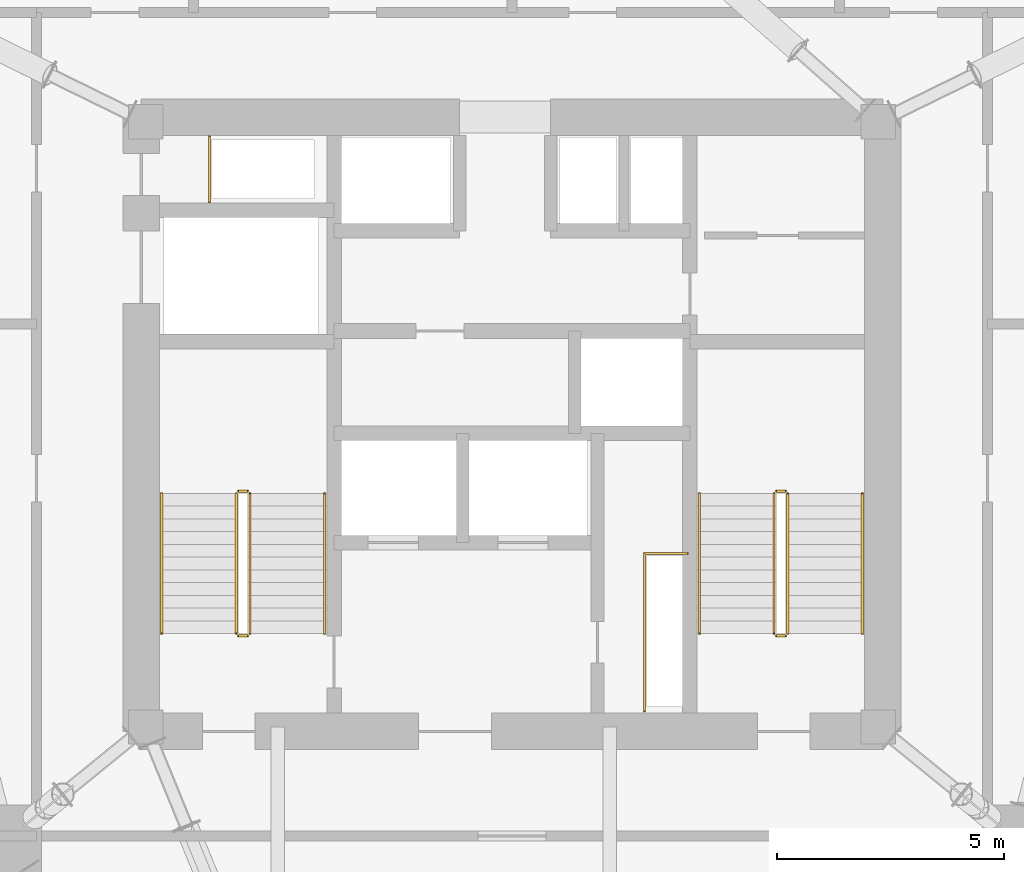
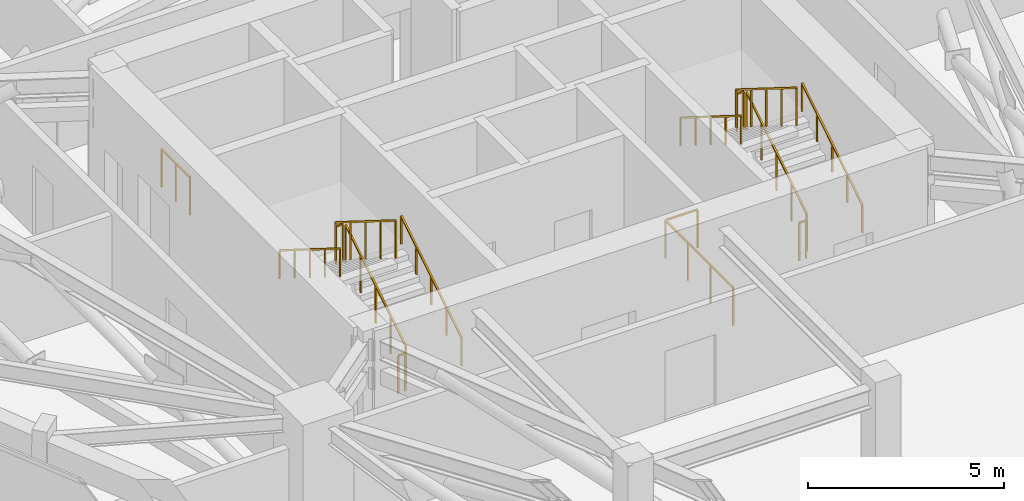
# One storey, part 13 of 13: 14 railings.
"""IFC4 building model written with IfcOpenShell, lengths in metres."""

from ifc_helpers import new_model, si_unit, direction, frame, origin, origin_2d, place, context, subcontext, project, spatial, rectangle, extrude, material, type_object, element, save


model = new_model("IFC4")

# Units and contexts
model_context = context("Model", 3, precision=1e-05, world=origin(), true_north=direction((0.0, 1.0)))
body_context = subcontext(model_context, "Body", "Model", "MODEL_VIEW")
ifc_project = project(units=[si_unit("LENGTHUNIT", "METRE"), si_unit("AREAUNIT", "SQUARE_METRE"), si_unit("VOLUMEUNIT", "CUBIC_METRE"), si_unit("PLANEANGLEUNIT", "RADIAN"), si_unit("MASSUNIT", "GRAM", prefix="KILO")], contexts=[model_context])

# Site, building, storey
site_placement = place(None, origin())
site = spatial("IfcSite", under=ifc_project, at=site_placement, CompositionType="ELEMENT")
building_placement = place(site_placement, origin())
building = spatial("IfcBuilding", under=site, at=building_placement, Name="Talyreon Biosciences Tower", CompositionType="ELEMENT")
storey_placement = place(building_placement, frame((0.0, 0.0, 171.0)))
storey = spatial("IfcBuildingStorey", under=building, at=storey_placement, Name="L45", CompositionType="ELEMENT", Elevation=171.0)

# Railings
ifc_material_1 = material(Name="Brushed stainless-steel tubular handrail", Category="steel")
railing_type_1 = type_object("IfcRailingType", Name="StairWallHandrail_900", PredefinedType="HANDRAIL", material=ifc_material_1)
railing_1_placement = place(storey_placement, frame((61.8798828125, 63.39990234375, 0.175048828125)))
element("IfcRailing", 1, at=railing_1_placement, inside=storey, type_object=railing_type_1, Name="L45 ST-1 stair handrail 1", PredefinedType="HANDRAIL", context=body_context, shape_type="SweptSolid", body=[
    extrude(rectangle(XDim=0.048095703125, YDim=0.048095703125, at=origin_2d()), frame((0.0, 0.0, 0.8759765625), z_axis=(0.0, 0.847998304005, 0.529998940003), x_axis=(-1.0, 0.0, 0.0)), (0.0, 0.0, 1.0), 3.632080078125),
    extrude(rectangle(XDim=0.0419921875, YDim=0.0419921875, at=origin_2d()), origin(), (0.0, 0.0, 1.0), 0.851806640625),
    extrude(rectangle(XDim=0.0419921875, YDim=0.0419921875, at=origin_2d()), frame((0.0, 0.77001953125, 0.481201171875)), (0.0, 0.0, 1.0), 0.851806640625),
    extrude(rectangle(XDim=0.0419921875, YDim=0.0419921875, at=origin_2d()), frame((0.0, 1.5400390625, 0.96240234375)), (0.0, 0.0, 1.0), 0.851806640625),
    extrude(rectangle(XDim=0.0419921875, YDim=0.0419921875, at=origin_2d()), frame((0.0, 2.31005859375, 1.44384765625)), (0.0, 0.0, 1.0), 0.851806640625),
    extrude(rectangle(XDim=0.0419921875, YDim=0.0419921875, at=origin_2d()), frame((0.0, 3.080078125, 1.925048828125)), (0.0, 0.0, 1.0), 0.851806640625),
])
railing_2_placement = place(storey_placement, frame((58.300048828125, 66.47998046875, 2.27490234375)))
element("IfcRailing", 2, at=railing_2_placement, inside=storey, type_object=railing_type_1, Name="L45 ST-1 stair handrail 2", PredefinedType="HANDRAIL", context=body_context, shape_type="SweptSolid", body=[
    extrude(rectangle(XDim=0.048095703125, YDim=0.048095703125, at=origin_2d()), frame((0.0, 0.0, 0.8759765625), z_axis=(0.0, -0.847998304005, 0.529998940003), x_axis=(1.0, 0.0, 0.0)), (0.0, 0.0, 1.0), 3.632080078125),
    extrude(rectangle(XDim=0.0419921875, YDim=0.0419921875, at=origin_2d()), origin(), (0.0, 0.0, 1.0), 0.851806640625),
    extrude(rectangle(XDim=0.0419921875, YDim=0.0419921875, at=origin_2d()), frame((0.0, -0.77001953125, 0.481201171875)), (0.0, 0.0, 1.0), 0.851806640625),
    extrude(rectangle(XDim=0.0419921875, YDim=0.0419921875, at=origin_2d()), frame((0.0, -1.5400390625, 0.96240234375)), (0.0, 0.0, 1.0), 0.851806640625),
    extrude(rectangle(XDim=0.0419921875, YDim=0.0419921875, at=origin_2d()), frame((0.0, -2.31005859375, 1.44384765625)), (0.0, 0.0, 1.0), 0.851806640625),
    extrude(rectangle(XDim=0.0419921875, YDim=0.0419921875, at=origin_2d()), frame((0.0, -3.080078125, 1.925048828125)), (0.0, 0.0, 1.0), 0.851806640625),
])
railing_3_placement = place(storey_placement, frame((73.699951171875, 63.39990234375, 0.175048828125)))
element("IfcRailing", 3, at=railing_3_placement, inside=storey, type_object=railing_type_1, Name="L45 ST-2 stair handrail 1", PredefinedType="HANDRAIL", context=body_context, shape_type="SweptSolid", body=[
    extrude(rectangle(XDim=0.048095703125, YDim=0.048095703125, at=origin_2d()), frame((0.0, 0.0, 0.8759765625), z_axis=(0.0, 0.847998304005, 0.529998940003), x_axis=(-1.0, 0.0, 0.0)), (0.0, 0.0, 1.0), 3.632080078125),
    extrude(rectangle(XDim=0.0419921875, YDim=0.0419921875, at=origin_2d()), origin(), (0.0, 0.0, 1.0), 0.851806640625),
    extrude(rectangle(XDim=0.0419921875, YDim=0.0419921875, at=origin_2d()), frame((0.0, 0.77001953125, 0.481201171875)), (0.0, 0.0, 1.0), 0.851806640625),
    extrude(rectangle(XDim=0.0419921875, YDim=0.0419921875, at=origin_2d()), frame((0.0, 1.5400390625, 0.96240234375)), (0.0, 0.0, 1.0), 0.851806640625),
    extrude(rectangle(XDim=0.0419921875, YDim=0.0419921875, at=origin_2d()), frame((0.0, 2.31005859375, 1.44384765625)), (0.0, 0.0, 1.0), 0.851806640625),
    extrude(rectangle(XDim=0.0419921875, YDim=0.0419921875, at=origin_2d()), frame((0.0, 3.080078125, 1.925048828125)), (0.0, 0.0, 1.0), 0.851806640625),
])
railing_4_placement = place(storey_placement, frame((70.1201171875, 66.47998046875, 2.27490234375)))
element("IfcRailing", 4, at=railing_4_placement, inside=storey, type_object=railing_type_1, Name="L45 ST-2 stair handrail 2", PredefinedType="HANDRAIL", context=body_context, shape_type="SweptSolid", body=[
    extrude(rectangle(XDim=0.048095703125, YDim=0.048095703125, at=origin_2d()), frame((0.0, 0.0, 0.8759765625), z_axis=(0.0, -0.847998304005, 0.529998940003), x_axis=(1.0, 0.0, 0.0)), (0.0, 0.0, 1.0), 3.632080078125),
    extrude(rectangle(XDim=0.0419921875, YDim=0.0419921875, at=origin_2d()), origin(), (0.0, 0.0, 1.0), 0.851806640625),
    extrude(rectangle(XDim=0.0419921875, YDim=0.0419921875, at=origin_2d()), frame((0.0, -0.77001953125, 0.481201171875)), (0.0, 0.0, 1.0), 0.851806640625),
    extrude(rectangle(XDim=0.0419921875, YDim=0.0419921875, at=origin_2d()), frame((0.0, -1.5400390625, 0.96240234375)), (0.0, 0.0, 1.0), 0.851806640625),
    extrude(rectangle(XDim=0.0419921875, YDim=0.0419921875, at=origin_2d()), frame((0.0, -2.31005859375, 1.44384765625)), (0.0, 0.0, 1.0), 0.851806640625),
    extrude(rectangle(XDim=0.0419921875, YDim=0.0419921875, at=origin_2d()), frame((0.0, -3.080078125, 1.925048828125)), (0.0, 0.0, 1.0), 0.851806640625),
])
ifc_material_2 = material(Name="Painted galvanised steel post-and-rail balustrade", Category="steel")
railing_type_2 = type_object("IfcRailingType", Name="TerraceStairGuard_1200", PredefinedType="GUARDRAIL", material=ifc_material_2)
railing_5_placement = place(storey_placement, frame((60.239990234375, 63.39990234375, 0.175048828125)))
element("IfcRailing", 5, at=railing_5_placement, inside=storey, type_object=railing_type_2, Name="L45 ST-1 stair guard 1", PredefinedType="GUARDRAIL", context=body_context, shape_type="SweptSolid", body=[
    extrude(rectangle(XDim=0.048095703125, YDim=0.048095703125, at=origin_2d()), frame((0.0, 0.0, 1.17578125), z_axis=(0.0, 0.847998304005, 0.529998940003), x_axis=(-1.0, 0.0, 0.0)), (0.0, 0.0, 1.0), 3.632080078125),
    extrude(rectangle(XDim=0.0419921875, YDim=0.0419921875, at=origin_2d()), origin(), (0.0, 0.0, 1.0), 1.15185546875),
    extrude(rectangle(XDim=0.0419921875, YDim=0.0419921875, at=origin_2d()), frame((0.0, 0.77001953125, 0.481201171875)), (0.0, 0.0, 1.0), 1.15185546875),
    extrude(rectangle(XDim=0.0419921875, YDim=0.0419921875, at=origin_2d()), frame((0.0, 1.5400390625, 0.96240234375)), (0.0, 0.0, 1.0), 1.15185546875),
    extrude(rectangle(XDim=0.0419921875, YDim=0.0419921875, at=origin_2d()), frame((0.0, 2.31005859375, 1.44384765625)), (0.0, 0.0, 1.0), 1.15185546875),
    extrude(rectangle(XDim=0.0419921875, YDim=0.0419921875, at=origin_2d()), frame((0.0, 3.080078125, 1.925048828125)), (0.0, 0.0, 1.0), 1.15185546875),
])
railing_6_placement = place(storey_placement, frame((60.18994140625, 66.530029296875, 2.10009765625)))
element("IfcRailing", 6, at=railing_6_placement, inside=storey, type_object=railing_type_2, Name="L45 ST-1 stair guard 2", PredefinedType="GUARDRAIL", context=body_context, shape_type="SweptSolid", body=[
    extrude(rectangle(XDim=0.048095703125, YDim=0.048095703125, at=origin_2d()), frame((0.0, 0.0, 1.17578125), z_axis=(-1.0, 0.0, 0.0), x_axis=(0.0, -1.0, 0.0)), (0.0, 0.0, 1.0), 0.199951171875),
    extrude(rectangle(XDim=0.0419921875, YDim=0.0419921875, at=origin_2d()), origin(), (0.0, 0.0, 1.0), 1.15185546875),
    extrude(rectangle(XDim=0.0419921875, YDim=0.0419921875, at=origin_2d()), frame((-0.199951171875, 0.0, 0.0)), (0.0, 0.0, 1.0), 1.15185546875),
])
railing_7_placement = place(storey_placement, frame((59.93994140625, 66.47998046875, 2.27490234375)))
element("IfcRailing", 7, at=railing_7_placement, inside=storey, type_object=railing_type_2, Name="L45 ST-1 stair guard 3", PredefinedType="GUARDRAIL", context=body_context, shape_type="SweptSolid", body=[
    extrude(rectangle(XDim=0.048095703125, YDim=0.048095703125, at=origin_2d()), frame((0.0, 0.0, 1.17578125), z_axis=(0.0, -0.847998304005, 0.529998940003), x_axis=(1.0, 0.0, 0.0)), (0.0, 0.0, 1.0), 3.632080078125),
    extrude(rectangle(XDim=0.0419921875, YDim=0.0419921875, at=origin_2d()), origin(), (0.0, 0.0, 1.0), 1.15185546875),
    extrude(rectangle(XDim=0.0419921875, YDim=0.0419921875, at=origin_2d()), frame((0.0, -0.77001953125, 0.481201171875)), (0.0, 0.0, 1.0), 1.15185546875),
    extrude(rectangle(XDim=0.0419921875, YDim=0.0419921875, at=origin_2d()), frame((0.0, -1.5400390625, 0.96240234375)), (0.0, 0.0, 1.0), 1.15185546875),
    extrude(rectangle(XDim=0.0419921875, YDim=0.0419921875, at=origin_2d()), frame((0.0, -2.31005859375, 1.44384765625)), (0.0, 0.0, 1.0), 1.15185546875),
    extrude(rectangle(XDim=0.0419921875, YDim=0.0419921875, at=origin_2d()), frame((0.0, -3.080078125, 1.925048828125)), (0.0, 0.0, 1.0), 1.15185546875),
])
railing_8_placement = place(storey_placement, frame((60.18994140625, 63.35009765625, 0.0)))
element("IfcRailing", 8, at=railing_8_placement, inside=storey, type_object=railing_type_2, Name="L45 ST-1 stair guard 4", PredefinedType="GUARDRAIL", context=body_context, shape_type="SweptSolid", body=[
    extrude(rectangle(XDim=0.048095703125, YDim=0.048095703125, at=origin_2d()), frame((0.0, 0.0, 1.17578125), z_axis=(-1.0, 0.0, 0.0), x_axis=(0.0, -1.0, 0.0)), (0.0, 0.0, 1.0), 0.199951171875),
    extrude(rectangle(XDim=0.0419921875, YDim=0.0419921875, at=origin_2d()), origin(), (0.0, 0.0, 1.0), 1.15185546875),
    extrude(rectangle(XDim=0.0419921875, YDim=0.0419921875, at=origin_2d()), frame((-0.199951171875, 0.0, 0.0)), (0.0, 0.0, 1.0), 1.15185546875),
])
railing_9_placement = place(storey_placement, frame((72.06005859375, 63.39990234375, 0.175048828125)))
element("IfcRailing", 9, at=railing_9_placement, inside=storey, type_object=railing_type_2, Name="L45 ST-2 stair guard 1", PredefinedType="GUARDRAIL", context=body_context, shape_type="SweptSolid", body=[
    extrude(rectangle(XDim=0.048095703125, YDim=0.048095703125, at=origin_2d()), frame((0.0, 0.0, 1.17578125), z_axis=(0.0, 0.847998304005, 0.529998940003), x_axis=(-1.0, 0.0, 0.0)), (0.0, 0.0, 1.0), 3.632080078125),
    extrude(rectangle(XDim=0.0419921875, YDim=0.0419921875, at=origin_2d()), origin(), (0.0, 0.0, 1.0), 1.15185546875),
    extrude(rectangle(XDim=0.0419921875, YDim=0.0419921875, at=origin_2d()), frame((0.0, 0.77001953125, 0.481201171875)), (0.0, 0.0, 1.0), 1.15185546875),
    extrude(rectangle(XDim=0.0419921875, YDim=0.0419921875, at=origin_2d()), frame((0.0, 1.5400390625, 0.96240234375)), (0.0, 0.0, 1.0), 1.15185546875),
    extrude(rectangle(XDim=0.0419921875, YDim=0.0419921875, at=origin_2d()), frame((0.0, 2.31005859375, 1.44384765625)), (0.0, 0.0, 1.0), 1.15185546875),
    extrude(rectangle(XDim=0.0419921875, YDim=0.0419921875, at=origin_2d()), frame((0.0, 3.080078125, 1.925048828125)), (0.0, 0.0, 1.0), 1.15185546875),
])
railing_10_placement = place(storey_placement, frame((72.010009765625, 66.530029296875, 2.10009765625)))
element("IfcRailing", 10, at=railing_10_placement, inside=storey, type_object=railing_type_2, Name="L45 ST-2 stair guard 2", PredefinedType="GUARDRAIL", context=body_context, shape_type="SweptSolid", body=[
    extrude(rectangle(XDim=0.048095703125, YDim=0.048095703125, at=origin_2d()), frame((0.0, 0.0, 1.17578125), z_axis=(-1.0, 0.0, 0.0), x_axis=(0.0, -1.0, 0.0)), (0.0, 0.0, 1.0), 0.199951171875),
    extrude(rectangle(XDim=0.0419921875, YDim=0.0419921875, at=origin_2d()), origin(), (0.0, 0.0, 1.0), 1.15185546875),
    extrude(rectangle(XDim=0.0419921875, YDim=0.0419921875, at=origin_2d()), frame((-0.199951171875, 0.0, 0.0)), (0.0, 0.0, 1.0), 1.15185546875),
])
railing_11_placement = place(storey_placement, frame((71.760009765625, 66.47998046875, 2.27490234375)))
element("IfcRailing", 11, at=railing_11_placement, inside=storey, type_object=railing_type_2, Name="L45 ST-2 stair guard 3", PredefinedType="GUARDRAIL", context=body_context, shape_type="SweptSolid", body=[
    extrude(rectangle(XDim=0.048095703125, YDim=0.048095703125, at=origin_2d()), frame((0.0, 0.0, 1.17578125), z_axis=(0.0, -0.847998304005, 0.529998940003), x_axis=(1.0, 0.0, 0.0)), (0.0, 0.0, 1.0), 3.632080078125),
    extrude(rectangle(XDim=0.0419921875, YDim=0.0419921875, at=origin_2d()), origin(), (0.0, 0.0, 1.0), 1.15185546875),
    extrude(rectangle(XDim=0.0419921875, YDim=0.0419921875, at=origin_2d()), frame((0.0, -0.77001953125, 0.481201171875)), (0.0, 0.0, 1.0), 1.15185546875),
    extrude(rectangle(XDim=0.0419921875, YDim=0.0419921875, at=origin_2d()), frame((0.0, -1.5400390625, 0.96240234375)), (0.0, 0.0, 1.0), 1.15185546875),
    extrude(rectangle(XDim=0.0419921875, YDim=0.0419921875, at=origin_2d()), frame((0.0, -2.31005859375, 1.44384765625)), (0.0, 0.0, 1.0), 1.15185546875),
    extrude(rectangle(XDim=0.0419921875, YDim=0.0419921875, at=origin_2d()), frame((0.0, -3.080078125, 1.925048828125)), (0.0, 0.0, 1.0), 1.15185546875),
])
railing_12_placement = place(storey_placement, frame((72.010009765625, 63.35009765625, 0.0)))
element("IfcRailing", 12, at=railing_12_placement, inside=storey, type_object=railing_type_2, Name="L45 ST-2 stair guard 4", PredefinedType="GUARDRAIL", context=body_context, shape_type="SweptSolid", body=[
    extrude(rectangle(XDim=0.048095703125, YDim=0.048095703125, at=origin_2d()), frame((0.0, 0.0, 1.17578125), z_axis=(-1.0, 0.0, 0.0), x_axis=(0.0, -1.0, 0.0)), (0.0, 0.0, 1.0), 0.199951171875),
    extrude(rectangle(XDim=0.0419921875, YDim=0.0419921875, at=origin_2d()), origin(), (0.0, 0.0, 1.0), 1.15185546875),
    extrude(rectangle(XDim=0.0419921875, YDim=0.0419921875, at=origin_2d()), frame((-0.199951171875, 0.0, 0.0)), (0.0, 0.0, 1.0), 1.15185546875),
])
railing_13_placement = place(storey_placement, frame((59.35009765625, 72.8798828125, 0.0)))
element("IfcRailing", 13, at=railing_13_placement, inside=storey, type_object=railing_type_2, Name="L45 Exhaust Riser Maintenance Guardrail", PredefinedType="GUARDRAIL", context=body_context, shape_type="SweptSolid", body=[
    extrude(rectangle(XDim=0.048095703125, YDim=0.048095703125, at=origin_2d()), frame((0.0, 0.0, 1.17578125), z_axis=(0.0, 1.0, 0.0), x_axis=(-1.0, 0.0, 0.0)), (0.0, 0.0, 1.0), 1.4501953125),
    extrude(rectangle(XDim=0.0419921875, YDim=0.0419921875, at=origin_2d()), origin(), (0.0, 0.0, 1.0), 1.15185546875),
    extrude(rectangle(XDim=0.0419921875, YDim=0.0419921875, at=origin_2d()), frame((0.0, 0.72509765625, 0.0)), (0.0, 0.0, 1.0), 1.15185546875),
    extrude(rectangle(XDim=0.0419921875, YDim=0.0419921875, at=origin_2d()), frame((0.0, 1.4501953125, 0.0)), (0.0, 0.0, 1.0), 1.15185546875),
])
railing_14_placement = place(storey_placement, frame((68.909912109375, 61.699951171875, 0.0)))
element("IfcRailing", 14, at=railing_14_placement, inside=storey, type_object=railing_type_2, Name="L45 Electrical Riser Maintenance Guardrail", PredefinedType="GUARDRAIL", context=body_context, shape_type="SweptSolid", body=[
    extrude(rectangle(XDim=0.048095703125, YDim=0.048095703125, at=origin_2d()), frame((0.0, 0.0, 1.17578125), z_axis=(0.0, 1.0, 0.0), x_axis=(-1.0, 0.0, 0.0)), (0.0, 0.0, 1.0), 3.4599609375),
    extrude(rectangle(XDim=0.048095703125, YDim=0.048095703125, at=origin_2d()), frame((0.0, 3.4599609375, 1.17578125), z_axis=(1.0, 0.0, 0.0), x_axis=(0.0, 1.0, 0.0)), (0.0, 0.0, 1.0), 0.9501953125),
    extrude(rectangle(XDim=0.0419921875, YDim=0.0419921875, at=origin_2d()), origin(), (0.0, 0.0, 1.0), 1.15185546875),
    extrude(rectangle(XDim=0.0419921875, YDim=0.0419921875, at=origin_2d()), frame((0.0, 1.1533203125, 0.0)), (0.0, 0.0, 1.0), 1.15185546875),
    extrude(rectangle(XDim=0.0419921875, YDim=0.0419921875, at=origin_2d()), frame((0.0, 2.306640625, 0.0)), (0.0, 0.0, 1.0), 1.15185546875),
    extrude(rectangle(XDim=0.0419921875, YDim=0.0419921875, at=origin_2d()), frame((0.0, 3.4599609375, 0.0)), (0.0, 0.0, 1.0), 1.15185546875),
    extrude(rectangle(XDim=0.0419921875, YDim=0.0419921875, at=origin_2d()), frame((0.9501953125, 3.4599609375, 0.0)), (0.0, 0.0, 1.0), 1.15185546875),
])

save(model, "model.ifc")
